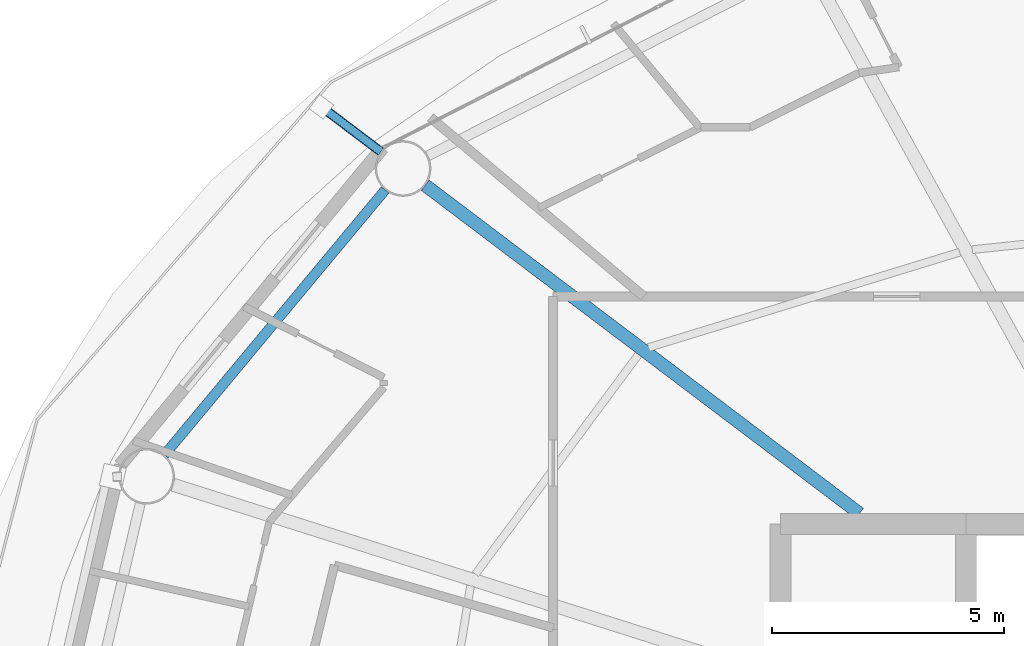
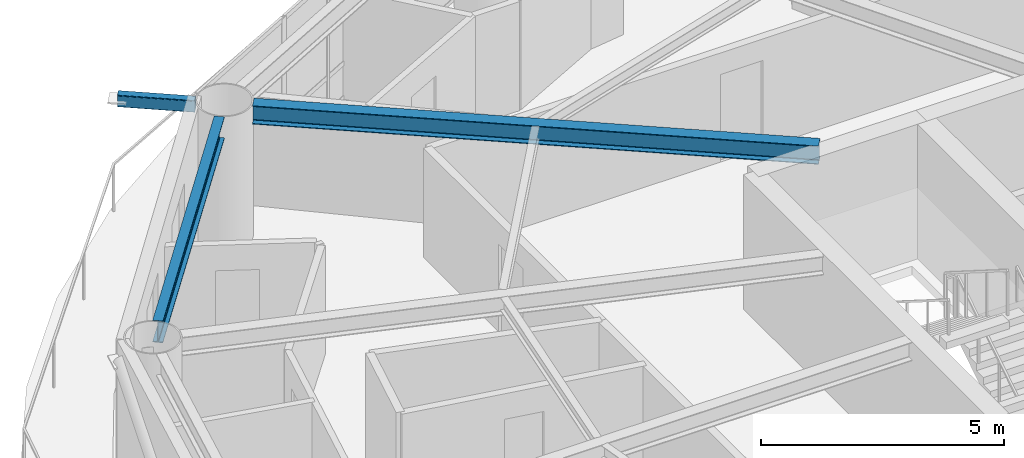
# One storey, part 10 of 28: 2 beams, 1 member.
"""IFC4 building model written with IfcOpenShell, lengths in metres."""

from ifc_helpers import new_model, si_unit, direction, frame, origin, origin_2d, place, context, subcontext, project, spatial, hollow_rectangle, i_section, extrude, material, material_profile, profile_set, type_object, element, save


model = new_model("IFC4")

# Units and contexts
model_context = context("Model", 3, precision=1e-05, world=origin(), true_north=direction((0.0, 1.0)))
body_context = subcontext(model_context, "Body", "Model", "MODEL_VIEW")
ifc_project = project(units=[si_unit("LENGTHUNIT", "METRE"), si_unit("AREAUNIT", "SQUARE_METRE"), si_unit("VOLUMEUNIT", "CUBIC_METRE"), si_unit("PLANEANGLEUNIT", "RADIAN"), si_unit("MASSUNIT", "GRAM", prefix="KILO")], contexts=[model_context])

# Site, building, storey
site_placement = place(None, origin())
site = spatial("IfcSite", under=ifc_project, at=site_placement, CompositionType="ELEMENT")
building_placement = place(site_placement, origin())
building = spatial("IfcBuilding", under=site, at=building_placement, Name="Sarneth Arch Tower", CompositionType="ELEMENT")
storey_placement = place(building_placement, frame((0.0, 0.0, 179.39990234375)))
storey = spatial("IfcBuildingStorey", under=building, at=storey_placement, Name="L45", CompositionType="ELEMENT", Elevation=179.39990234375)

# Beams
ifc_material_1 = material(Name="Steel S355", Category="steel")
ifc_material_profile_1 = material_profile(ifc_material_1, i_section(OverallWidth=0.280029296875, OverallDepth=0.462890625, WebThickness=0.0107421875, FlangeThickness=0.017333984375, FilletRadius=0.01806640625, at=origin_2d()), Name="W460x113")
ifc_profile_set_1 = profile_set([ifc_material_profile_1], Name="Steel S355")
beam_type_1 = type_object("IfcBeamType", Name="BM-RAD-460A", PredefinedType="BEAM", material=ifc_profile_set_1)
beam_1_placement = place(storey_placement, frame((38.70458984375, 49.02490234375, 3.148681640625), z_axis=(-0.797784574467, 0.602942594898, 0.0), x_axis=(-0.602942594898, -0.797784574467, 0.0)))
element("IfcBeam", 1, at=beam_1_placement, inside=storey, type_object=beam_type_1, Name="L45 Radial floor girder 07", PredefinedType="BEAM", context=body_context, shape_type="SweptSolid", body=[
    extrude(i_section(OverallWidth=0.280029296875, OverallDepth=0.462890625, WebThickness=0.0107421875, FlangeThickness=0.017333984375, FilletRadius=0.01806640625, at=origin_2d()), origin(), (0.0, 0.0, 1.0), 11.73193359375),
])
ifc_material_2 = material(Name="Steel S355", Category="steel")
ifc_material_profile_2 = material_profile(ifc_material_2, i_section(OverallWidth=0.214111328125, OverallDepth=0.549072265625, WebThickness=0.0146484375, FlangeThickness=0.023681640625, FilletRadius=0.01806640625, at=origin_2d()), Name="W530x138")
ifc_profile_set_2 = profile_set([ifc_material_profile_2], Name="Steel S355")
beam_type_2 = type_object("IfcBeamType", Name="BM-RAD-530A", PredefinedType="BEAM", material=ifc_profile_set_2)
beam_2_placement = place(storey_placement, frame((28.482177734375, 55.99951171875, 3.105712890625), z_axis=(-0.640161793626, -0.768240117399, 0.0), x_axis=(0.768240117399, -0.640161793626, 0.0)))
element("IfcBeam", 2, at=beam_2_placement, inside=storey, type_object=beam_type_2, Name="L45 Perimeter spandrel beam 07", PredefinedType="BEAM", context=body_context, shape_type="SweptSolid", body=[
    extrude(i_section(OverallWidth=0.214111328125, OverallDepth=0.549072265625, WebThickness=0.0146484375, FlangeThickness=0.023681640625, FilletRadius=0.01806640625, at=origin_2d()), origin(), (0.0, 0.0, 1.0), 7.43603515625),
])

# Member
ifc_material_3 = material(Name="Steel S355", Category="steel")
ifc_material_profile_3 = material_profile(ifc_material_3, hollow_rectangle(XDim=0.199951171875, YDim=0.300048828125, WallThickness=0.012451171875, InnerFilletRadius=0.018798828125, OuterFilletRadius=0.03125, at=origin_2d()), Name="RHS300x200x12.5")
ifc_profile_set_3 = profile_set([ifc_material_profile_3], Name="Steel S355")
member_type = type_object("IfcMemberType", Name="MEM-CANT-STRUT", PredefinedType="STRUT", material=ifc_profile_set_3)
member_placement = place(storey_placement, frame((28.387451171875, 56.822021484375, 3.22021484375), z_axis=(-0.797750304099, 0.602987937118, 0.0), x_axis=(-0.602987937118, -0.797750304099, 0.0)))
element("IfcMember", 3, at=member_placement, inside=storey, type_object=member_type, Name="L45 Balcony cantilever bracket 07", PredefinedType="STRUT", context=body_context, shape_type="SweptSolid", body=[
    extrude(hollow_rectangle(XDim=0.199951171875, YDim=0.300048828125, WallThickness=0.012451171875, InnerFilletRadius=0.018798828125, OuterFilletRadius=0.03125, at=origin_2d()), origin(), (0.0, 0.0, 1.0), 1.605712890625),
])

save(model, "model.ifc")
